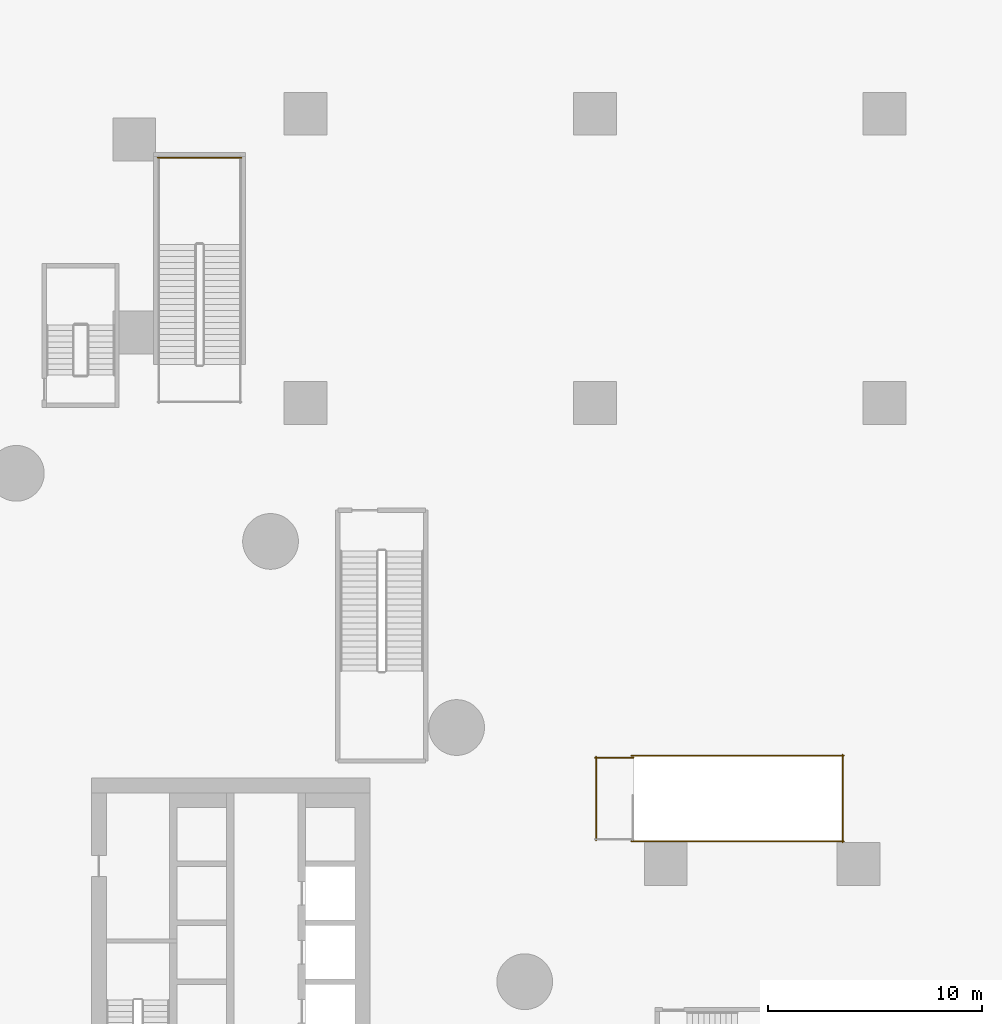
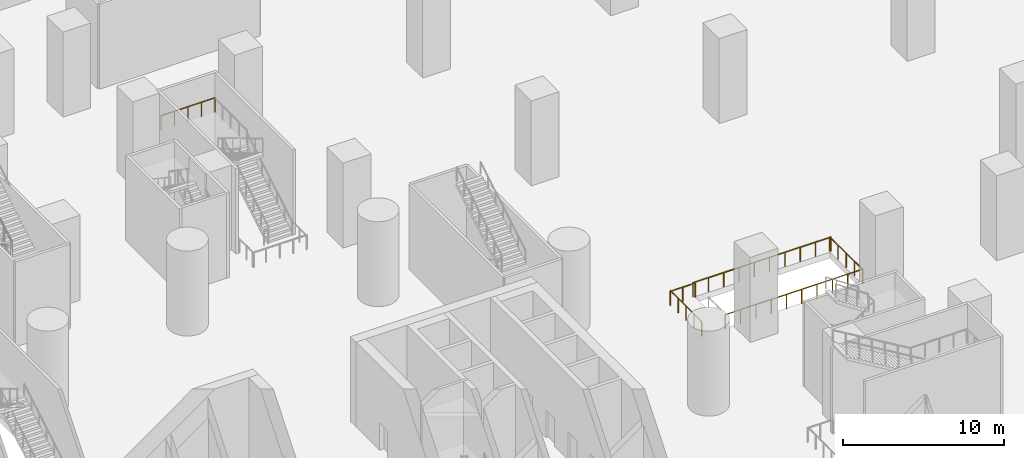
# One storey, part 33 of 37: 6 railings.
"""IFC4 building model written with IfcOpenShell, lengths in metres."""

from ifc_helpers import new_model, si_unit, direction, frame, origin, origin_2d, place, context, subcontext, project, spatial, circle, extrude, material, type_object, element, save


model = new_model("IFC4")

# Units and contexts
model_context = context("Model", 3, precision=1e-05, world=origin(), true_north=direction((0.0, 1.0)))
body_context = subcontext(model_context, "Body", "Model", "MODEL_VIEW")
ifc_project = project(units=[si_unit("LENGTHUNIT", "METRE"), si_unit("AREAUNIT", "SQUARE_METRE"), si_unit("VOLUMEUNIT", "CUBIC_METRE"), si_unit("PLANEANGLEUNIT", "RADIAN"), si_unit("MASSUNIT", "GRAM", prefix="KILO")], contexts=[model_context])

# Site, building, storey
site_placement = place(None, origin())
site = spatial("IfcSite", under=ifc_project, at=site_placement, CompositionType="ELEMENT")
building_placement = place(site_placement, origin())
building = spatial("IfcBuilding", under=site, at=building_placement, Name="Tamarind Cross Interchange Tower", CompositionType="ELEMENT")
storey_placement = place(building_placement, frame((0.0, 0.0, -7.0)))
storey = spatial("IfcBuildingStorey", under=building, at=storey_placement, Name="B1", CompositionType="ELEMENT", Elevation=-7.0)

# Railings
ifc_material = material(Name="Public stair guard")
railing_type = type_object("IfcRailingType", Name="Public stair guard", PredefinedType="GUARDRAIL", material=ifc_material)
railing_1_placement = place(storey_placement, frame((10.5, 38.449951171875, 3.5)))
element("IfcRailing", 1, at=railing_1_placement, inside=storey, type_object=railing_type, Name="B1 PS-N stair guard 5", PredefinedType="GUARDRAIL", context=body_context, shape_type="SweptSolid", body=[
    extrude(circle(Radius=0.02392578125, at=origin_2d()), frame((0.0, 0.0, 1.076171875), z_axis=(-1.0, 0.0, 0.0), x_axis=(0.0, -1.0, 0.0)), (0.0, 0.0, 1.0), 3.89990234375),
    extrude(circle(Radius=0.02099609375, at=origin_2d()), origin(), (0.0, 0.0, 1.0), 1.052001953125),
    extrude(circle(Radius=0.02099609375, at=origin_2d()), frame((-0.97509765625, 0.0, 0.0)), (0.0, 0.0, 1.0), 1.052001953125),
    extrude(circle(Radius=0.02099609375, at=origin_2d()), frame((-1.949951171875, 0.0, 0.0)), (0.0, 0.0, 1.0), 1.052001953125),
    extrude(circle(Radius=0.02099609375, at=origin_2d()), frame((-2.9248046875, 0.0, 0.0)), (0.0, 0.0, 1.0), 1.052001953125),
    extrude(circle(Radius=0.02099609375, at=origin_2d()), frame((-3.89990234375, 0.0, 0.0)), (0.0, 0.0, 1.0), 1.052001953125),
])
for number, where, name in (
    (2, (28.699951171875, 6.550048828125, 0.0), "B1 MS-E top well guard 2"),
    (3, (28.699951171875, 10.550048828125, 0.0), "B1 MS-E top well guard 3"),
):
    element("IfcRailing", number, at=place(storey_placement, frame(where)), inside=storey, type_object=railing_type, Name=name, PredefinedType="GUARDRAIL", context=body_context, shape_type="SweptSolid", body=[
        extrude(circle(Radius=0.02392578125, at=origin_2d()), frame((0.0, 0.0, 1.076171875), z_axis=(1.0, 0.0, 0.0), x_axis=(0.0, 1.0, 0.0)), (0.0, 0.0, 1.0), 9.900146484375),
        extrude(circle(Radius=0.02099609375, at=origin_2d()), origin(), (0.0, 0.0, 1.0), 1.052001953125),
        extrude(circle(Radius=0.02099609375, at=origin_2d()), frame((1.10009765625, 0.0, 0.0)), (0.0, 0.0, 1.0), 1.052001953125),
        extrude(circle(Radius=0.02099609375, at=origin_2d()), frame((2.199951171875, 0.0, 0.0)), (0.0, 0.0, 1.0), 1.052001953125),
        extrude(circle(Radius=0.02099609375, at=origin_2d()), frame((3.300048828125, 0.0, 0.0)), (0.0, 0.0, 1.0), 1.052001953125),
        extrude(circle(Radius=0.02099609375, at=origin_2d()), frame((4.400146484375, 0.0, 0.0)), (0.0, 0.0, 1.0), 1.052001953125),
        extrude(circle(Radius=0.02099609375, at=origin_2d()), frame((5.5, 0.0, 0.0)), (0.0, 0.0, 1.0), 1.052001953125),
        extrude(circle(Radius=0.02099609375, at=origin_2d()), frame((6.60009765625, 0.0, 0.0)), (0.0, 0.0, 1.0), 1.052001953125),
        extrude(circle(Radius=0.02099609375, at=origin_2d()), frame((7.7001953125, 0.0, 0.0)), (0.0, 0.0, 1.0), 1.052001953125),
        extrude(circle(Radius=0.02099609375, at=origin_2d()), frame((8.800048828125, 0.0, 0.0)), (0.0, 0.0, 1.0), 1.052001953125),
        extrude(circle(Radius=0.02099609375, at=origin_2d()), frame((9.900146484375, 0.0, 0.0)), (0.0, 0.0, 1.0), 1.052001953125),
    ])
railing_2_placement = place(storey_placement, frame((38.550048828125, 6.5, 0.0)))
element("IfcRailing", 4, at=railing_2_placement, inside=storey, type_object=railing_type, Name="B1 MS-E top well guard 4", PredefinedType="GUARDRAIL", context=body_context, shape_type="SweptSolid", body=[
    extrude(circle(Radius=0.02392578125, at=origin_2d()), frame((0.0, 0.0, 1.076171875), z_axis=(0.0, 1.0, 0.0), x_axis=(-1.0, 0.0, 0.0)), (0.0, 0.0, 1.0), 4.10009765625),
    extrude(circle(Radius=0.02099609375, at=origin_2d()), origin(), (0.0, 0.0, 1.0), 1.052001953125),
    extrude(circle(Radius=0.02099609375, at=origin_2d()), frame((0.0, 1.02490234375, 0.0)), (0.0, 0.0, 1.0), 1.052001953125),
    extrude(circle(Radius=0.02099609375, at=origin_2d()), frame((0.0, 2.050048828125, 0.0)), (0.0, 0.0, 1.0), 1.052001953125),
    extrude(circle(Radius=0.02099609375, at=origin_2d()), frame((0.0, 3.0751953125, 0.0)), (0.0, 0.0, 1.0), 1.052001953125),
    extrude(circle(Radius=0.02099609375, at=origin_2d()), frame((0.0, 4.10009765625, 0.0)), (0.0, 0.0, 1.0), 1.052001953125),
])
railing_3_placement = place(storey_placement, frame((27.0, 10.449951171875, 0.0)))
element("IfcRailing", 5, at=railing_3_placement, inside=storey, type_object=railing_type, Name="B1 MS-E top well guard 6", PredefinedType="GUARDRAIL", context=body_context, shape_type="SweptSolid", body=[
    extrude(circle(Radius=0.02392578125, at=origin_2d()), frame((0.0, 0.0, 1.076171875), z_axis=(1.0, 0.0, 0.0), x_axis=(0.0, 1.0, 0.0)), (0.0, 0.0, 1.0), 1.800048828125),
    extrude(circle(Radius=0.02099609375, at=origin_2d()), origin(), (0.0, 0.0, 1.0), 1.052001953125),
    extrude(circle(Radius=0.02099609375, at=origin_2d()), frame((0.89990234375, 0.0, 0.0)), (0.0, 0.0, 1.0), 1.052001953125),
    extrude(circle(Radius=0.02099609375, at=origin_2d()), frame((1.800048828125, 0.0, 0.0)), (0.0, 0.0, 1.0), 1.052001953125),
])
railing_4_placement = place(storey_placement, frame((27.050048828125, 6.60009765625, 0.0)))
element("IfcRailing", 6, at=railing_4_placement, inside=storey, type_object=railing_type, Name="B1 MS-E top well guard 7", PredefinedType="GUARDRAIL", context=body_context, shape_type="SweptSolid", body=[
    extrude(circle(Radius=0.02392578125, at=origin_2d()), frame((0.0, 0.0, 1.076171875), z_axis=(0.0, 1.0, 0.0), x_axis=(-1.0, 0.0, 0.0)), (0.0, 0.0, 1.0), 3.89990234375),
    extrude(circle(Radius=0.02099609375, at=origin_2d()), origin(), (0.0, 0.0, 1.0), 1.052001953125),
    extrude(circle(Radius=0.02099609375, at=origin_2d()), frame((0.0, 0.97509765625, 0.0)), (0.0, 0.0, 1.0), 1.052001953125),
    extrude(circle(Radius=0.02099609375, at=origin_2d()), frame((0.0, 1.949951171875, 0.0)), (0.0, 0.0, 1.0), 1.052001953125),
    extrude(circle(Radius=0.02099609375, at=origin_2d()), frame((0.0, 2.9248046875, 0.0)), (0.0, 0.0, 1.0), 1.052001953125),
    extrude(circle(Radius=0.02099609375, at=origin_2d()), frame((0.0, 3.89990234375, 0.0)), (0.0, 0.0, 1.0), 1.052001953125),
])

save(model, "model.ifc")
